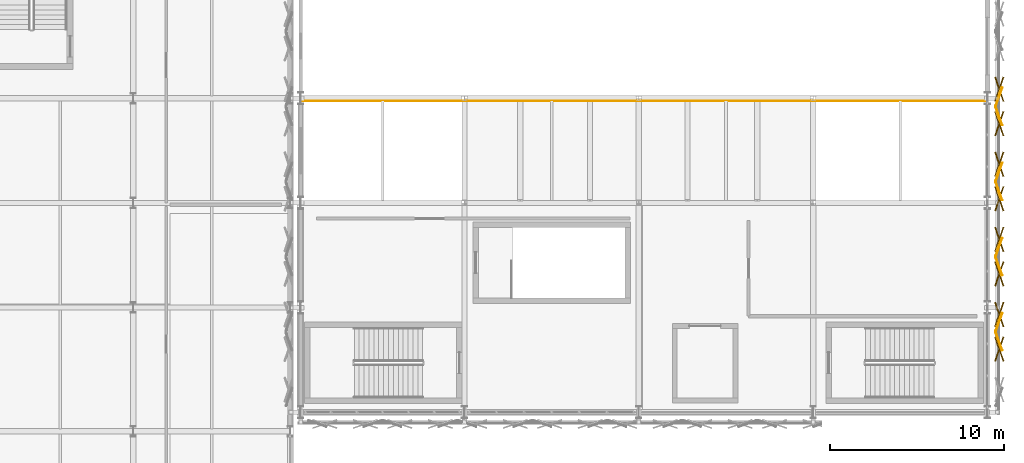
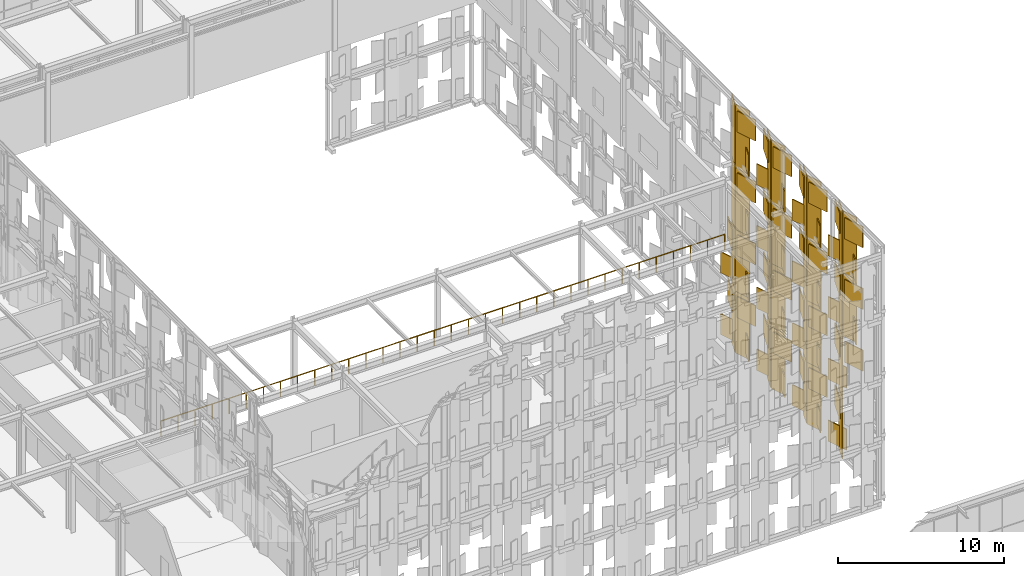
# One storey, part 233 of 239: 87 coverings, 1 railing.
"""IFC4 building model written with IfcOpenShell, lengths in metres."""

from ifc_helpers import new_model, si_unit, direction, frame, origin, origin_2d, place, context, subcontext, project, spatial, rectangle, circle, extrude, material, layer, layer_set, type_object, element, save


model = new_model("IFC4")

# Units and contexts
model_context = context("Model", 3, precision=1e-05, world=origin(), true_north=direction((0.0, 1.0)))
body_context = subcontext(model_context, "Body", "Model", "MODEL_VIEW")
ifc_project = project(units=[si_unit("LENGTHUNIT", "METRE"), si_unit("AREAUNIT", "SQUARE_METRE"), si_unit("VOLUMEUNIT", "CUBIC_METRE"), si_unit("PLANEANGLEUNIT", "RADIAN"), si_unit("MASSUNIT", "GRAM", prefix="KILO")], contexts=[model_context])

# Site, building, storey
site_placement = place(None, origin())
site = spatial("IfcSite", under=ifc_project, at=site_placement, CompositionType="ELEMENT")
building_placement = place(site_placement, origin())
building = spatial("IfcBuilding", under=site, at=building_placement, Name="Kaldris Quays Convention Centre", CompositionType="ELEMENT")
storey_placement = place(building_placement, frame((0.0, 0.0, 11.39990234375)))
storey = spatial("IfcBuildingStorey", under=building, at=storey_placement, Name="L02", CompositionType="ELEMENT", Elevation=11.39990234375)

# Railing
ifc_material_1 = material(Name="Stainless steel 1.4401", Category="steel")
railing_type = type_object("IfcRailingType", Name="INTERIOR BALUSTRADE BL02", PredefinedType="BALUSTRADE", material=ifc_material_1)
railing_placement = place(storey_placement, frame((164.64990234375, 73.85009765625, 0.0)))
element("IfcRailing", 1, at=railing_placement, inside=storey, type_object=railing_type, Name="L02 Gallery Balustrade GRD-V2-L02", PredefinedType="BALUSTRADE", context=body_context, shape_type="SweptSolid", body=[
    extrude(circle(Radius=0.02392578125, at=origin_2d()), frame((0.0, 0.0, 1.11572265625), z_axis=(1.0, 0.0, 0.0), x_axis=(0.0, 1.0, 0.0)), (0.0, 0.0, 1.0), 39.25),
    extrude(circle(Radius=0.02099609375, at=origin_2d()), origin(), (0.0, 0.0, 1.0), 1.091796875),
    extrude(circle(Radius=0.02099609375, at=origin_2d()), frame((1.189453125, 0.0, 0.0)), (0.0, 0.0, 1.0), 1.091796875),
    extrude(circle(Radius=0.02099609375, at=origin_2d()), frame((2.37890625, 0.0, 0.0)), (0.0, 0.0, 1.0), 1.091796875),
    extrude(circle(Radius=0.02099609375, at=origin_2d()), frame((3.568115234375, 0.0, 0.0)), (0.0, 0.0, 1.0), 1.091796875),
    extrude(circle(Radius=0.02099609375, at=origin_2d()), frame((4.757568359375, 0.0, 0.0)), (0.0, 0.0, 1.0), 1.091796875),
    extrude(circle(Radius=0.02099609375, at=origin_2d()), frame((5.947021484375, 0.0, 0.0)), (0.0, 0.0, 1.0), 1.091796875),
    extrude(circle(Radius=0.02099609375, at=origin_2d()), frame((7.136474609375, 0.0, 0.0)), (0.0, 0.0, 1.0), 1.091796875),
    extrude(circle(Radius=0.02099609375, at=origin_2d()), frame((8.32568359375, 0.0, 0.0)), (0.0, 0.0, 1.0), 1.091796875),
    extrude(circle(Radius=0.02099609375, at=origin_2d()), frame((9.51513671875, 0.0, 0.0)), (0.0, 0.0, 1.0), 1.091796875),
    extrude(circle(Radius=0.02099609375, at=origin_2d()), frame((10.70458984375, 0.0, 0.0)), (0.0, 0.0, 1.0), 1.091796875),
    extrude(circle(Radius=0.02099609375, at=origin_2d()), frame((11.89404296875, 0.0, 0.0)), (0.0, 0.0, 1.0), 1.091796875),
    extrude(circle(Radius=0.02099609375, at=origin_2d()), frame((13.083251953125, 0.0, 0.0)), (0.0, 0.0, 1.0), 1.091796875),
    extrude(circle(Radius=0.02099609375, at=origin_2d()), frame((14.272705078125, 0.0, 0.0)), (0.0, 0.0, 1.0), 1.091796875),
    extrude(circle(Radius=0.02099609375, at=origin_2d()), frame((15.462158203125, 0.0, 0.0)), (0.0, 0.0, 1.0), 1.091796875),
    extrude(circle(Radius=0.02099609375, at=origin_2d()), frame((16.651611328125, 0.0, 0.0)), (0.0, 0.0, 1.0), 1.091796875),
    extrude(circle(Radius=0.02099609375, at=origin_2d()), frame((17.8408203125, 0.0, 0.0)), (0.0, 0.0, 1.0), 1.091796875),
    extrude(circle(Radius=0.02099609375, at=origin_2d()), frame((19.0302734375, 0.0, 0.0)), (0.0, 0.0, 1.0), 1.091796875),
    extrude(circle(Radius=0.02099609375, at=origin_2d()), frame((20.2197265625, 0.0, 0.0)), (0.0, 0.0, 1.0), 1.091796875),
    extrude(circle(Radius=0.02099609375, at=origin_2d()), frame((21.4091796875, 0.0, 0.0)), (0.0, 0.0, 1.0), 1.091796875),
    extrude(circle(Radius=0.02099609375, at=origin_2d()), frame((22.598388671875, 0.0, 0.0)), (0.0, 0.0, 1.0), 1.091796875),
    extrude(circle(Radius=0.02099609375, at=origin_2d()), frame((23.787841796875, 0.0, 0.0)), (0.0, 0.0, 1.0), 1.091796875),
    extrude(circle(Radius=0.02099609375, at=origin_2d()), frame((24.977294921875, 0.0, 0.0)), (0.0, 0.0, 1.0), 1.091796875),
    extrude(circle(Radius=0.02099609375, at=origin_2d()), frame((26.166748046875, 0.0, 0.0)), (0.0, 0.0, 1.0), 1.091796875),
    extrude(circle(Radius=0.02099609375, at=origin_2d()), frame((27.35595703125, 0.0, 0.0)), (0.0, 0.0, 1.0), 1.091796875),
    extrude(circle(Radius=0.02099609375, at=origin_2d()), frame((28.54541015625, 0.0, 0.0)), (0.0, 0.0, 1.0), 1.091796875),
    extrude(circle(Radius=0.02099609375, at=origin_2d()), frame((29.73486328125, 0.0, 0.0)), (0.0, 0.0, 1.0), 1.091796875),
    extrude(circle(Radius=0.02099609375, at=origin_2d()), frame((30.92431640625, 0.0, 0.0)), (0.0, 0.0, 1.0), 1.091796875),
    extrude(circle(Radius=0.02099609375, at=origin_2d()), frame((32.113525390625, 0.0, 0.0)), (0.0, 0.0, 1.0), 1.091796875),
    extrude(circle(Radius=0.02099609375, at=origin_2d()), frame((33.302978515625, 0.0, 0.0)), (0.0, 0.0, 1.0), 1.091796875),
    extrude(circle(Radius=0.02099609375, at=origin_2d()), frame((34.492431640625, 0.0, 0.0)), (0.0, 0.0, 1.0), 1.091796875),
    extrude(circle(Radius=0.02099609375, at=origin_2d()), frame((35.681884765625, 0.0, 0.0)), (0.0, 0.0, 1.0), 1.091796875),
    extrude(circle(Radius=0.02099609375, at=origin_2d()), frame((36.87109375, 0.0, 0.0)), (0.0, 0.0, 1.0), 1.091796875),
    extrude(circle(Radius=0.02099609375, at=origin_2d()), frame((38.060546875, 0.0, 0.0)), (0.0, 0.0, 1.0), 1.091796875),
    extrude(circle(Radius=0.02099609375, at=origin_2d()), frame((39.25, 0.0, 0.0)), (0.0, 0.0, 1.0), 1.091796875),
])

# Coverings
ifc_material_2 = material(Name="Alabaster white star-pierced anodized aluminium panel", Category="aluminium")
ifc_layer = layer(ifc_material_2, 0.044921875)
ifc_layer_set = layer_set([ifc_layer], Name="Alabaster white star-pierced anodized aluminium panel")
covering_type = type_object("IfcCoveringType", Name="STAR PIERCED WHITE FOLDED SCREEN CL01", PredefinedType="CLADDING", material=ifc_layer_set)
covering_1_placement = place(storey_placement, frame((204.679931640625, 59.617919921875, -0.27001953125), z_axis=(0.0, 0.0, 1.0), x_axis=(-0.325568154457, 0.945518575599, 0.0)))
element("IfcCovering", 2, at=covering_1_placement, inside=storey, type_object=covering_type, Name="V2E Carved Star Corner Facet 1883", PredefinedType="CLADDING", context=body_context, shape_type="SweptSolid", body=[
    extrude(rectangle(XDim=1.465087890625, YDim=0.06494140625, at=origin_2d()), origin(), (0.0, 0.0, 1.0), 1.547119140625),
])
covering_2_placement = place(storey_placement, frame((204.659912109375, 60.048828125, 1.490234375), z_axis=(0.0, 0.0, 1.0), x_axis=(-0.325568154457, 0.945518575599, 0.0)))
element("IfcCovering", 3, at=covering_2_placement, inside=storey, type_object=covering_type, Name="V2E Folded White Screen Stile 1885", PredefinedType="CLADDING", context=body_context, shape_type="SweptSolid", body=[
    extrude(rectangle(XDim=1.093994140625, YDim=0.054931640625, at=origin_2d()), origin(), (0.0, 0.0, 1.0), 4.669921875),
])
for number, where, z_axis, x_axis, name in (
    (4, (204.679931640625, 59.617919921875, 1.8232421875), (0.0, 0.0, 1.0), (0.325568154457, 0.945518575599, 0.0), "V2E Carved Star Corner Facet 1888"),
    (5, (204.679931640625, 59.617919921875, 4.2802734375), (0.0, 0.0, 1.0), (-0.325568154457, 0.945518575599, 0.0), "V2E Carved Star Corner Facet 1889"),
):
    element("IfcCovering", number, at=place(storey_placement, frame(where, z_axis=z_axis, x_axis=x_axis)), inside=storey, type_object=covering_type, Name=name, PredefinedType="CLADDING", context=body_context, shape_type="SweptSolid", body=[
        extrude(rectangle(XDim=1.465087890625, YDim=0.06494140625, at=origin_2d()), origin(), (0.0, 0.0, 1.0), 1.547119140625),
    ])
covering_3_placement = place(storey_placement, frame((204.659912109375, 60.048828125, 6.0400390625), z_axis=(0.0, 0.0, 1.0), x_axis=(-0.325568154457, 0.945518575599, 0.0)))
element("IfcCovering", 6, at=covering_3_placement, inside=storey, type_object=covering_type, Name="V2E Folded White Screen Stile 1891", PredefinedType="CLADDING", context=body_context, shape_type="SweptSolid", body=[
    extrude(rectangle(XDim=1.093994140625, YDim=0.054931640625, at=origin_2d()), origin(), (0.0, 0.0, 1.0), 4.669921875),
])
for number, where, z_axis, x_axis, name in (
    (7, (204.679931640625, 59.617919921875, 6.373046875), (0.0, 0.0, 1.0), (0.325568154457, 0.945518575599, 0.0), "V2E Carved Star Corner Facet 1894"),
    (8, (204.679931640625, 59.617919921875, 8.830078125), (0.0, 0.0, 1.0), (-0.325568154457, 0.945518575599, 0.0), "V2E Carved Star Corner Facet 1895"),
):
    element("IfcCovering", number, at=place(storey_placement, frame(where, z_axis=z_axis, x_axis=x_axis)), inside=storey, type_object=covering_type, Name=name, PredefinedType="CLADDING", context=body_context, shape_type="SweptSolid", body=[
        extrude(rectangle(XDim=1.465087890625, YDim=0.06494140625, at=origin_2d()), origin(), (0.0, 0.0, 1.0), 1.547119140625),
    ])
for number, where, z_axis, x_axis, name in (
    (9, (204.659912109375, 61.169189453125, -7.60986328125), (0.0, 0.0, 1.0), (0.325568154457, 0.945518575599, 0.0), "V2E Folded White Screen Stile 1896"),
    (10, (204.659912109375, 64.35791015625, -7.60986328125), (0.0, 0.0, 1.0), (-0.325568154457, 0.945518575599, 0.0), "V2E Folded White Screen Stile 1897"),
):
    element("IfcCovering", number, at=place(storey_placement, frame(where, z_axis=z_axis, x_axis=x_axis)), inside=storey, type_object=covering_type, Name=name, PredefinedType="CLADDING", context=body_context, shape_type="SweptSolid", body=[
        extrude(rectangle(XDim=1.093994140625, YDim=0.054931640625, at=origin_2d()), origin(), (0.0, 0.0, 1.0), 4.669921875),
    ])
for number, where, z_axis, x_axis, name in (
    (11, (204.679931640625, 61.60009765625, -7.27685546875), (0.0, 0.0, 1.0), (-0.325568154457, 0.945518575599, 0.0), "V2E Carved Star Corner Facet 1898"),
    (12, (204.679931640625, 61.60009765625, -4.81982421875), (0.0, 0.0, 1.0), (0.325568154457, 0.945518575599, 0.0), "V2E Carved Star Corner Facet 1899"),
    (13, (204.679931640625, 63.927001953125, -7.27685546875), (0.0, 0.0, 1.0), (0.325568154457, 0.945518575599, 0.0), "V2E Carved Star Corner Facet 1900"),
    (14, (204.679931640625, 63.927001953125, -4.81982421875), (0.0, 0.0, 1.0), (-0.325568154457, 0.945518575599, 0.0), "V2E Carved Star Corner Facet 1901"),
):
    element("IfcCovering", number, at=place(storey_placement, frame(where, z_axis=z_axis, x_axis=x_axis)), inside=storey, type_object=covering_type, Name=name, PredefinedType="CLADDING", context=body_context, shape_type="SweptSolid", body=[
        extrude(rectangle(XDim=1.465087890625, YDim=0.06494140625, at=origin_2d()), origin(), (0.0, 0.0, 1.0), 1.547119140625),
    ])
for number, where, z_axis, x_axis, name in (
    (15, (204.659912109375, 61.169189453125, -3.059814453125), (0.0, 0.0, 1.0), (0.325568154457, 0.945518575599, 0.0), "V2E Folded White Screen Stile 1902"),
    (16, (204.659912109375, 64.35791015625, -3.059814453125), (0.0, 0.0, 1.0), (-0.325568154457, 0.945518575599, 0.0), "V2E Folded White Screen Stile 1903"),
):
    element("IfcCovering", number, at=place(storey_placement, frame(where, z_axis=z_axis, x_axis=x_axis)), inside=storey, type_object=covering_type, Name=name, PredefinedType="CLADDING", context=body_context, shape_type="SweptSolid", body=[
        extrude(rectangle(XDim=1.093994140625, YDim=0.054931640625, at=origin_2d()), origin(), (0.0, 0.0, 1.0), 4.669921875),
    ])
for number, where, z_axis, x_axis, name in (
    (17, (204.679931640625, 61.60009765625, -2.72705078125), (0.0, 0.0, 1.0), (-0.325568154457, 0.945518575599, 0.0), "V2E Carved Star Corner Facet 1904"),
    (18, (204.679931640625, 61.60009765625, -0.27001953125), (0.0, 0.0, 1.0), (0.325568154457, 0.945518575599, 0.0), "V2E Carved Star Corner Facet 1905"),
    (19, (204.679931640625, 63.927001953125, -2.72705078125), (0.0, 0.0, 1.0), (0.325568154457, 0.945518575599, 0.0), "V2E Carved Star Corner Facet 1906"),
    (20, (204.679931640625, 63.927001953125, -0.27001953125), (0.0, 0.0, 1.0), (-0.325568154457, 0.945518575599, 0.0), "V2E Carved Star Corner Facet 1907"),
):
    element("IfcCovering", number, at=place(storey_placement, frame(where, z_axis=z_axis, x_axis=x_axis)), inside=storey, type_object=covering_type, Name=name, PredefinedType="CLADDING", context=body_context, shape_type="SweptSolid", body=[
        extrude(rectangle(XDim=1.465087890625, YDim=0.06494140625, at=origin_2d()), origin(), (0.0, 0.0, 1.0), 1.547119140625),
    ])
for number, where, z_axis, x_axis, name in (
    (21, (204.659912109375, 61.169189453125, 1.490234375), (0.0, 0.0, 1.0), (0.325568154457, 0.945518575599, 0.0), "V2E Folded White Screen Stile 1908"),
    (22, (204.659912109375, 64.35791015625, 1.490234375), (0.0, 0.0, 1.0), (-0.325568154457, 0.945518575599, 0.0), "V2E Folded White Screen Stile 1909"),
):
    element("IfcCovering", number, at=place(storey_placement, frame(where, z_axis=z_axis, x_axis=x_axis)), inside=storey, type_object=covering_type, Name=name, PredefinedType="CLADDING", context=body_context, shape_type="SweptSolid", body=[
        extrude(rectangle(XDim=1.093994140625, YDim=0.054931640625, at=origin_2d()), origin(), (0.0, 0.0, 1.0), 4.669921875),
    ])
for number, where, z_axis, x_axis, name in (
    (23, (204.679931640625, 61.60009765625, 1.8232421875), (0.0, 0.0, 1.0), (-0.325568154457, 0.945518575599, 0.0), "V2E Carved Star Corner Facet 1910"),
    (24, (204.679931640625, 61.60009765625, 4.2802734375), (0.0, 0.0, 1.0), (0.325568154457, 0.945518575599, 0.0), "V2E Carved Star Corner Facet 1911"),
    (25, (204.679931640625, 63.927001953125, 1.8232421875), (0.0, 0.0, 1.0), (0.325568154457, 0.945518575599, 0.0), "V2E Carved Star Corner Facet 1912"),
    (26, (204.679931640625, 63.927001953125, 4.2802734375), (0.0, 0.0, 1.0), (-0.325568154457, 0.945518575599, 0.0), "V2E Carved Star Corner Facet 1913"),
):
    element("IfcCovering", number, at=place(storey_placement, frame(where, z_axis=z_axis, x_axis=x_axis)), inside=storey, type_object=covering_type, Name=name, PredefinedType="CLADDING", context=body_context, shape_type="SweptSolid", body=[
        extrude(rectangle(XDim=1.465087890625, YDim=0.06494140625, at=origin_2d()), origin(), (0.0, 0.0, 1.0), 1.547119140625),
    ])
for number, where, z_axis, x_axis, name in (
    (27, (204.659912109375, 61.169189453125, 6.0400390625), (0.0, 0.0, 1.0), (0.325568154457, 0.945518575599, 0.0), "V2E Folded White Screen Stile 1914"),
    (28, (204.659912109375, 64.35791015625, 6.0400390625), (0.0, 0.0, 1.0), (-0.325568154457, 0.945518575599, 0.0), "V2E Folded White Screen Stile 1915"),
):
    element("IfcCovering", number, at=place(storey_placement, frame(where, z_axis=z_axis, x_axis=x_axis)), inside=storey, type_object=covering_type, Name=name, PredefinedType="CLADDING", context=body_context, shape_type="SweptSolid", body=[
        extrude(rectangle(XDim=1.093994140625, YDim=0.054931640625, at=origin_2d()), origin(), (0.0, 0.0, 1.0), 4.669921875),
    ])
for number, where, z_axis, x_axis, name in (
    (29, (204.679931640625, 61.60009765625, 6.373046875), (0.0, 0.0, 1.0), (-0.325568154457, 0.945518575599, 0.0), "V2E Carved Star Corner Facet 1916"),
    (30, (204.679931640625, 61.60009765625, 8.830078125), (0.0, 0.0, 1.0), (0.325568154457, 0.945518575599, 0.0), "V2E Carved Star Corner Facet 1917"),
    (31, (204.679931640625, 63.927001953125, 6.373046875), (0.0, 0.0, 1.0), (0.325568154457, 0.945518575599, 0.0), "V2E Carved Star Corner Facet 1918"),
    (32, (204.679931640625, 63.927001953125, 8.830078125), (0.0, 0.0, 1.0), (-0.325568154457, 0.945518575599, 0.0), "V2E Carved Star Corner Facet 1919"),
):
    element("IfcCovering", number, at=place(storey_placement, frame(where, z_axis=z_axis, x_axis=x_axis)), inside=storey, type_object=covering_type, Name=name, PredefinedType="CLADDING", context=body_context, shape_type="SweptSolid", body=[
        extrude(rectangle(XDim=1.465087890625, YDim=0.06494140625, at=origin_2d()), origin(), (0.0, 0.0, 1.0), 1.547119140625),
    ])
for number, where, z_axis, x_axis, name in (
    (33, (204.659912109375, 65.478515625, -7.60986328125), (0.0, 0.0, 1.0), (0.325568154457, 0.945518575599, 0.0), "V2E Folded White Screen Stile 1920"),
    (34, (204.659912109375, 68.6669921875, -7.60986328125), (0.0, 0.0, 1.0), (-0.325568154457, 0.945518575599, 0.0), "V2E Folded White Screen Stile 1921"),
):
    element("IfcCovering", number, at=place(storey_placement, frame(where, z_axis=z_axis, x_axis=x_axis)), inside=storey, type_object=covering_type, Name=name, PredefinedType="CLADDING", context=body_context, shape_type="SweptSolid", body=[
        extrude(rectangle(XDim=1.093994140625, YDim=0.054931640625, at=origin_2d()), origin(), (0.0, 0.0, 1.0), 4.669921875),
    ])
for number, where, z_axis, x_axis, name in (
    (35, (204.679931640625, 65.9091796875, -7.27685546875), (0.0, 0.0, 1.0), (-0.325568154457, 0.945518575599, 0.0), "V2E Carved Star Corner Facet 1922"),
    (36, (204.679931640625, 65.9091796875, -4.81982421875), (0.0, 0.0, 1.0), (0.325568154457, 0.945518575599, 0.0), "V2E Carved Star Corner Facet 1923"),
    (37, (204.679931640625, 68.236083984375, -7.27685546875), (0.0, 0.0, 1.0), (0.325568154457, 0.945518575599, 0.0), "V2E Carved Star Corner Facet 1924"),
    (38, (204.679931640625, 68.236083984375, -4.81982421875), (0.0, 0.0, 1.0), (-0.325568154457, 0.945518575599, 0.0), "V2E Carved Star Corner Facet 1925"),
):
    element("IfcCovering", number, at=place(storey_placement, frame(where, z_axis=z_axis, x_axis=x_axis)), inside=storey, type_object=covering_type, Name=name, PredefinedType="CLADDING", context=body_context, shape_type="SweptSolid", body=[
        extrude(rectangle(XDim=1.465087890625, YDim=0.06494140625, at=origin_2d()), origin(), (0.0, 0.0, 1.0), 1.547119140625),
    ])
for number, where, z_axis, x_axis, name in (
    (39, (204.659912109375, 65.478515625, -3.059814453125), (0.0, 0.0, 1.0), (0.325568154457, 0.945518575599, 0.0), "V2E Folded White Screen Stile 1926"),
    (40, (204.659912109375, 68.6669921875, -3.059814453125), (0.0, 0.0, 1.0), (-0.325568154457, 0.945518575599, 0.0), "V2E Folded White Screen Stile 1927"),
):
    element("IfcCovering", number, at=place(storey_placement, frame(where, z_axis=z_axis, x_axis=x_axis)), inside=storey, type_object=covering_type, Name=name, PredefinedType="CLADDING", context=body_context, shape_type="SweptSolid", body=[
        extrude(rectangle(XDim=1.093994140625, YDim=0.054931640625, at=origin_2d()), origin(), (0.0, 0.0, 1.0), 4.669921875),
    ])
for number, where, z_axis, x_axis, name in (
    (41, (204.679931640625, 65.9091796875, -2.72705078125), (0.0, 0.0, 1.0), (-0.325568154457, 0.945518575599, 0.0), "V2E Carved Star Corner Facet 1928"),
    (42, (204.679931640625, 65.9091796875, -0.27001953125), (0.0, 0.0, 1.0), (0.325568154457, 0.945518575599, 0.0), "V2E Carved Star Corner Facet 1929"),
    (43, (204.679931640625, 68.236083984375, -2.72705078125), (0.0, 0.0, 1.0), (0.325568154457, 0.945518575599, 0.0), "V2E Carved Star Corner Facet 1930"),
    (44, (204.679931640625, 68.236083984375, -0.27001953125), (0.0, 0.0, 1.0), (-0.325568154457, 0.945518575599, 0.0), "V2E Carved Star Corner Facet 1931"),
):
    element("IfcCovering", number, at=place(storey_placement, frame(where, z_axis=z_axis, x_axis=x_axis)), inside=storey, type_object=covering_type, Name=name, PredefinedType="CLADDING", context=body_context, shape_type="SweptSolid", body=[
        extrude(rectangle(XDim=1.465087890625, YDim=0.06494140625, at=origin_2d()), origin(), (0.0, 0.0, 1.0), 1.547119140625),
    ])
for number, where, z_axis, x_axis, name in (
    (45, (204.659912109375, 65.478515625, 1.490234375), (0.0, 0.0, 1.0), (0.325568154457, 0.945518575599, 0.0), "V2E Folded White Screen Stile 1932"),
    (46, (204.659912109375, 68.6669921875, 1.490234375), (0.0, 0.0, 1.0), (-0.325568154457, 0.945518575599, 0.0), "V2E Folded White Screen Stile 1933"),
):
    element("IfcCovering", number, at=place(storey_placement, frame(where, z_axis=z_axis, x_axis=x_axis)), inside=storey, type_object=covering_type, Name=name, PredefinedType="CLADDING", context=body_context, shape_type="SweptSolid", body=[
        extrude(rectangle(XDim=1.093994140625, YDim=0.054931640625, at=origin_2d()), origin(), (0.0, 0.0, 1.0), 4.669921875),
    ])
for number, where, z_axis, x_axis, name in (
    (47, (204.679931640625, 65.9091796875, 1.8232421875), (0.0, 0.0, 1.0), (-0.325568154457, 0.945518575599, 0.0), "V2E Carved Star Corner Facet 1934"),
    (48, (204.679931640625, 65.9091796875, 4.2802734375), (0.0, 0.0, 1.0), (0.325568154457, 0.945518575599, 0.0), "V2E Carved Star Corner Facet 1935"),
    (49, (204.679931640625, 68.236083984375, 1.8232421875), (0.0, 0.0, 1.0), (0.325568154457, 0.945518575599, 0.0), "V2E Carved Star Corner Facet 1936"),
    (50, (204.679931640625, 68.236083984375, 4.2802734375), (0.0, 0.0, 1.0), (-0.325568154457, 0.945518575599, 0.0), "V2E Carved Star Corner Facet 1937"),
):
    element("IfcCovering", number, at=place(storey_placement, frame(where, z_axis=z_axis, x_axis=x_axis)), inside=storey, type_object=covering_type, Name=name, PredefinedType="CLADDING", context=body_context, shape_type="SweptSolid", body=[
        extrude(rectangle(XDim=1.465087890625, YDim=0.06494140625, at=origin_2d()), origin(), (0.0, 0.0, 1.0), 1.547119140625),
    ])
for number, where, z_axis, x_axis, name in (
    (51, (204.659912109375, 65.478515625, 6.0400390625), (0.0, 0.0, 1.0), (0.325568154457, 0.945518575599, 0.0), "V2E Folded White Screen Stile 1938"),
    (52, (204.659912109375, 68.6669921875, 6.0400390625), (0.0, 0.0, 1.0), (-0.325568154457, 0.945518575599, 0.0), "V2E Folded White Screen Stile 1939"),
):
    element("IfcCovering", number, at=place(storey_placement, frame(where, z_axis=z_axis, x_axis=x_axis)), inside=storey, type_object=covering_type, Name=name, PredefinedType="CLADDING", context=body_context, shape_type="SweptSolid", body=[
        extrude(rectangle(XDim=1.093994140625, YDim=0.054931640625, at=origin_2d()), origin(), (0.0, 0.0, 1.0), 4.669921875),
    ])
for number, where, z_axis, x_axis, name in (
    (53, (204.679931640625, 65.9091796875, 6.373046875), (0.0, 0.0, 1.0), (-0.325568154457, 0.945518575599, 0.0), "V2E Carved Star Corner Facet 1940"),
    (54, (204.679931640625, 65.9091796875, 8.830078125), (0.0, 0.0, 1.0), (0.325568154457, 0.945518575599, 0.0), "V2E Carved Star Corner Facet 1941"),
    (55, (204.679931640625, 68.236083984375, 6.373046875), (0.0, 0.0, 1.0), (0.325568154457, 0.945518575599, 0.0), "V2E Carved Star Corner Facet 1942"),
    (56, (204.679931640625, 68.236083984375, 8.830078125), (0.0, 0.0, 1.0), (-0.325568154457, 0.945518575599, 0.0), "V2E Carved Star Corner Facet 1943"),
):
    element("IfcCovering", number, at=place(storey_placement, frame(where, z_axis=z_axis, x_axis=x_axis)), inside=storey, type_object=covering_type, Name=name, PredefinedType="CLADDING", context=body_context, shape_type="SweptSolid", body=[
        extrude(rectangle(XDim=1.465087890625, YDim=0.06494140625, at=origin_2d()), origin(), (0.0, 0.0, 1.0), 1.547119140625),
    ])
for number, where, z_axis, x_axis, name in (
    (57, (204.659912109375, 69.78759765625, -7.60986328125), (0.0, 0.0, 1.0), (0.325568154457, 0.945518575599, 0.0), "V2E Folded White Screen Stile 1944"),
    (58, (204.659912109375, 72.976318359375, -7.60986328125), (0.0, 0.0, 1.0), (-0.325568154457, 0.945518575599, 0.0), "V2E Folded White Screen Stile 1945"),
):
    element("IfcCovering", number, at=place(storey_placement, frame(where, z_axis=z_axis, x_axis=x_axis)), inside=storey, type_object=covering_type, Name=name, PredefinedType="CLADDING", context=body_context, shape_type="SweptSolid", body=[
        extrude(rectangle(XDim=1.093994140625, YDim=0.054931640625, at=origin_2d()), origin(), (0.0, 0.0, 1.0), 4.669921875),
    ])
for number, where, z_axis, x_axis, name in (
    (59, (204.679931640625, 70.218505859375, -7.27685546875), (0.0, 0.0, 1.0), (-0.325568154457, 0.945518575599, 0.0), "V2E Carved Star Corner Facet 1946"),
    (60, (204.679931640625, 70.218505859375, -4.81982421875), (0.0, 0.0, 1.0), (0.325568154457, 0.945518575599, 0.0), "V2E Carved Star Corner Facet 1947"),
    (61, (204.679931640625, 72.54541015625, -7.27685546875), (0.0, 0.0, 1.0), (0.325568154457, 0.945518575599, 0.0), "V2E Carved Star Corner Facet 1948"),
    (62, (204.679931640625, 72.54541015625, -4.81982421875), (0.0, 0.0, 1.0), (-0.325568154457, 0.945518575599, 0.0), "V2E Carved Star Corner Facet 1949"),
):
    element("IfcCovering", number, at=place(storey_placement, frame(where, z_axis=z_axis, x_axis=x_axis)), inside=storey, type_object=covering_type, Name=name, PredefinedType="CLADDING", context=body_context, shape_type="SweptSolid", body=[
        extrude(rectangle(XDim=1.465087890625, YDim=0.06494140625, at=origin_2d()), origin(), (0.0, 0.0, 1.0), 1.547119140625),
    ])
for number, where, z_axis, x_axis, name in (
    (63, (204.659912109375, 69.78759765625, -3.059814453125), (0.0, 0.0, 1.0), (0.325568154457, 0.945518575599, 0.0), "V2E Folded White Screen Stile 1950"),
    (64, (204.659912109375, 72.976318359375, -3.059814453125), (0.0, 0.0, 1.0), (-0.325568154457, 0.945518575599, 0.0), "V2E Folded White Screen Stile 1951"),
):
    element("IfcCovering", number, at=place(storey_placement, frame(where, z_axis=z_axis, x_axis=x_axis)), inside=storey, type_object=covering_type, Name=name, PredefinedType="CLADDING", context=body_context, shape_type="SweptSolid", body=[
        extrude(rectangle(XDim=1.093994140625, YDim=0.054931640625, at=origin_2d()), origin(), (0.0, 0.0, 1.0), 4.669921875),
    ])
for number, where, z_axis, x_axis, name in (
    (65, (204.679931640625, 70.218505859375, -2.72705078125), (0.0, 0.0, 1.0), (-0.325568154457, 0.945518575599, 0.0), "V2E Carved Star Corner Facet 1952"),
    (66, (204.679931640625, 70.218505859375, -0.27001953125), (0.0, 0.0, 1.0), (0.325568154457, 0.945518575599, 0.0), "V2E Carved Star Corner Facet 1953"),
    (67, (204.679931640625, 72.54541015625, -2.72705078125), (0.0, 0.0, 1.0), (0.325568154457, 0.945518575599, 0.0), "V2E Carved Star Corner Facet 1954"),
    (68, (204.679931640625, 72.54541015625, -0.27001953125), (0.0, 0.0, 1.0), (-0.325568154457, 0.945518575599, 0.0), "V2E Carved Star Corner Facet 1955"),
):
    element("IfcCovering", number, at=place(storey_placement, frame(where, z_axis=z_axis, x_axis=x_axis)), inside=storey, type_object=covering_type, Name=name, PredefinedType="CLADDING", context=body_context, shape_type="SweptSolid", body=[
        extrude(rectangle(XDim=1.465087890625, YDim=0.06494140625, at=origin_2d()), origin(), (0.0, 0.0, 1.0), 1.547119140625),
    ])
for number, where, z_axis, x_axis, name in (
    (69, (204.659912109375, 69.78759765625, 1.490234375), (0.0, 0.0, 1.0), (0.325568154457, 0.945518575599, 0.0), "V2E Folded White Screen Stile 1956"),
    (70, (204.659912109375, 72.976318359375, 1.490234375), (0.0, 0.0, 1.0), (-0.325568154457, 0.945518575599, 0.0), "V2E Folded White Screen Stile 1957"),
):
    element("IfcCovering", number, at=place(storey_placement, frame(where, z_axis=z_axis, x_axis=x_axis)), inside=storey, type_object=covering_type, Name=name, PredefinedType="CLADDING", context=body_context, shape_type="SweptSolid", body=[
        extrude(rectangle(XDim=1.093994140625, YDim=0.054931640625, at=origin_2d()), origin(), (0.0, 0.0, 1.0), 4.669921875),
    ])
for number, where, z_axis, x_axis, name in (
    (71, (204.679931640625, 70.218505859375, 1.8232421875), (0.0, 0.0, 1.0), (-0.325568154457, 0.945518575599, 0.0), "V2E Carved Star Corner Facet 1958"),
    (72, (204.679931640625, 70.218505859375, 4.2802734375), (0.0, 0.0, 1.0), (0.325568154457, 0.945518575599, 0.0), "V2E Carved Star Corner Facet 1959"),
    (73, (204.679931640625, 72.54541015625, 1.8232421875), (0.0, 0.0, 1.0), (0.325568154457, 0.945518575599, 0.0), "V2E Carved Star Corner Facet 1960"),
    (74, (204.679931640625, 72.54541015625, 4.2802734375), (0.0, 0.0, 1.0), (-0.325568154457, 0.945518575599, 0.0), "V2E Carved Star Corner Facet 1961"),
):
    element("IfcCovering", number, at=place(storey_placement, frame(where, z_axis=z_axis, x_axis=x_axis)), inside=storey, type_object=covering_type, Name=name, PredefinedType="CLADDING", context=body_context, shape_type="SweptSolid", body=[
        extrude(rectangle(XDim=1.465087890625, YDim=0.06494140625, at=origin_2d()), origin(), (0.0, 0.0, 1.0), 1.547119140625),
    ])
for number, where, z_axis, x_axis, name in (
    (75, (204.659912109375, 69.78759765625, 6.0400390625), (0.0, 0.0, 1.0), (0.325568154457, 0.945518575599, 0.0), "V2E Folded White Screen Stile 1962"),
    (76, (204.659912109375, 72.976318359375, 6.0400390625), (0.0, 0.0, 1.0), (-0.325568154457, 0.945518575599, 0.0), "V2E Folded White Screen Stile 1963"),
):
    element("IfcCovering", number, at=place(storey_placement, frame(where, z_axis=z_axis, x_axis=x_axis)), inside=storey, type_object=covering_type, Name=name, PredefinedType="CLADDING", context=body_context, shape_type="SweptSolid", body=[
        extrude(rectangle(XDim=1.093994140625, YDim=0.054931640625, at=origin_2d()), origin(), (0.0, 0.0, 1.0), 4.669921875),
    ])
for number, where, z_axis, x_axis, name in (
    (77, (204.679931640625, 70.218505859375, 6.373046875), (0.0, 0.0, 1.0), (-0.325568154457, 0.945518575599, 0.0), "V2E Carved Star Corner Facet 1964"),
    (78, (204.679931640625, 70.218505859375, 8.830078125), (0.0, 0.0, 1.0), (0.325568154457, 0.945518575599, 0.0), "V2E Carved Star Corner Facet 1965"),
    (79, (204.679931640625, 72.54541015625, 6.373046875), (0.0, 0.0, 1.0), (0.325568154457, 0.945518575599, 0.0), "V2E Carved Star Corner Facet 1966"),
    (80, (204.679931640625, 72.54541015625, 8.830078125), (0.0, 0.0, 1.0), (-0.325568154457, 0.945518575599, 0.0), "V2E Carved Star Corner Facet 1967"),
):
    element("IfcCovering", number, at=place(storey_placement, frame(where, z_axis=z_axis, x_axis=x_axis)), inside=storey, type_object=covering_type, Name=name, PredefinedType="CLADDING", context=body_context, shape_type="SweptSolid", body=[
        extrude(rectangle(XDim=1.465087890625, YDim=0.06494140625, at=origin_2d()), origin(), (0.0, 0.0, 1.0), 1.547119140625),
    ])
covering_4_placement = place(storey_placement, frame((204.659912109375, 74.096435546875, -7.60986328125), z_axis=(0.0, 0.0, 1.0), x_axis=(0.325568154457, 0.945518575599, 0.0)))
element("IfcCovering", 81, at=covering_4_placement, inside=storey, type_object=covering_type, Name="V2E Folded White Screen Stile 1968", PredefinedType="CLADDING", context=body_context, shape_type="SweptSolid", body=[
    extrude(rectangle(XDim=1.093994140625, YDim=0.054931640625, at=origin_2d()), origin(), (0.0, 0.0, 1.0), 4.669921875),
])
for number, where, z_axis, x_axis, name in (
    (82, (204.679931640625, 74.527587890625, -7.27685546875), (0.0, 0.0, 1.0), (-0.325568154457, 0.945518575599, 0.0), "V2E Carved Star Corner Facet 1970"),
    (83, (204.679931640625, 74.527587890625, -4.81982421875), (0.0, 0.0, 1.0), (0.325568154457, 0.945518575599, 0.0), "V2E Carved Star Corner Facet 1971"),
):
    element("IfcCovering", number, at=place(storey_placement, frame(where, z_axis=z_axis, x_axis=x_axis)), inside=storey, type_object=covering_type, Name=name, PredefinedType="CLADDING", context=body_context, shape_type="SweptSolid", body=[
        extrude(rectangle(XDim=1.465087890625, YDim=0.06494140625, at=origin_2d()), origin(), (0.0, 0.0, 1.0), 1.547119140625),
    ])
covering_5_placement = place(storey_placement, frame((204.659912109375, 74.096435546875, -3.059814453125), z_axis=(0.0, 0.0, 1.0), x_axis=(0.325568154457, 0.945518575599, 0.0)))
element("IfcCovering", 84, at=covering_5_placement, inside=storey, type_object=covering_type, Name="V2E Folded White Screen Stile 1974", PredefinedType="CLADDING", context=body_context, shape_type="SweptSolid", body=[
    extrude(rectangle(XDim=1.093994140625, YDim=0.054931640625, at=origin_2d()), origin(), (0.0, 0.0, 1.0), 4.669921875),
])
for number, where, z_axis, x_axis, name in (
    (85, (204.679931640625, 74.527587890625, -2.72705078125), (0.0, 0.0, 1.0), (-0.325568154457, 0.945518575599, 0.0), "V2E Carved Star Corner Facet 1976"),
    (86, (204.679931640625, 74.527587890625, -0.27001953125), (0.0, 0.0, 1.0), (0.325568154457, 0.945518575599, 0.0), "V2E Carved Star Corner Facet 1977"),
):
    element("IfcCovering", number, at=place(storey_placement, frame(where, z_axis=z_axis, x_axis=x_axis)), inside=storey, type_object=covering_type, Name=name, PredefinedType="CLADDING", context=body_context, shape_type="SweptSolid", body=[
        extrude(rectangle(XDim=1.465087890625, YDim=0.06494140625, at=origin_2d()), origin(), (0.0, 0.0, 1.0), 1.547119140625),
    ])
for number, where, z_axis, x_axis, name in (
    (87, (204.659912109375, 74.096435546875, 1.490234375), (0.0, 0.0, 1.0), (0.325568154457, 0.945518575599, 0.0), "V2E Folded White Screen Stile 1980"),
    (88, (204.659912109375, 74.096435546875, 6.0400390625), (0.0, 0.0, 1.0), (0.325568154457, 0.945518575599, 0.0), "V2E Folded White Screen Stile 1986"),
):
    element("IfcCovering", number, at=place(storey_placement, frame(where, z_axis=z_axis, x_axis=x_axis)), inside=storey, type_object=covering_type, Name=name, PredefinedType="CLADDING", context=body_context, shape_type="SweptSolid", body=[
        extrude(rectangle(XDim=1.093994140625, YDim=0.054931640625, at=origin_2d()), origin(), (0.0, 0.0, 1.0), 4.669921875),
    ])

save(model, "model.ifc")
